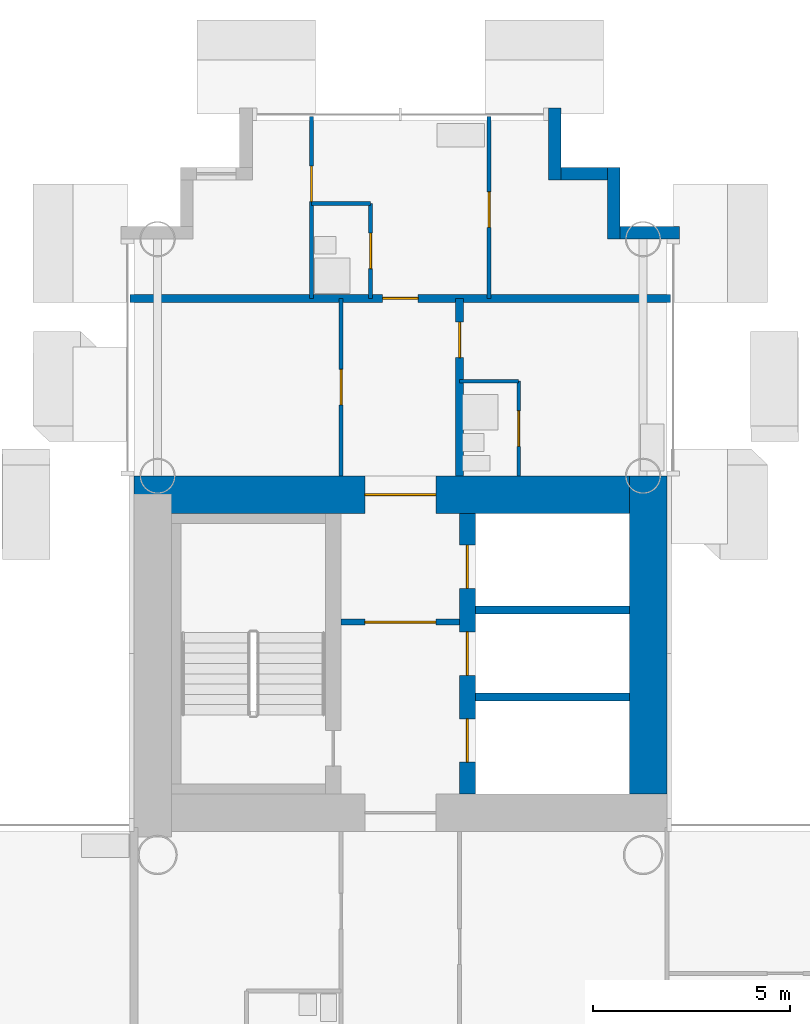
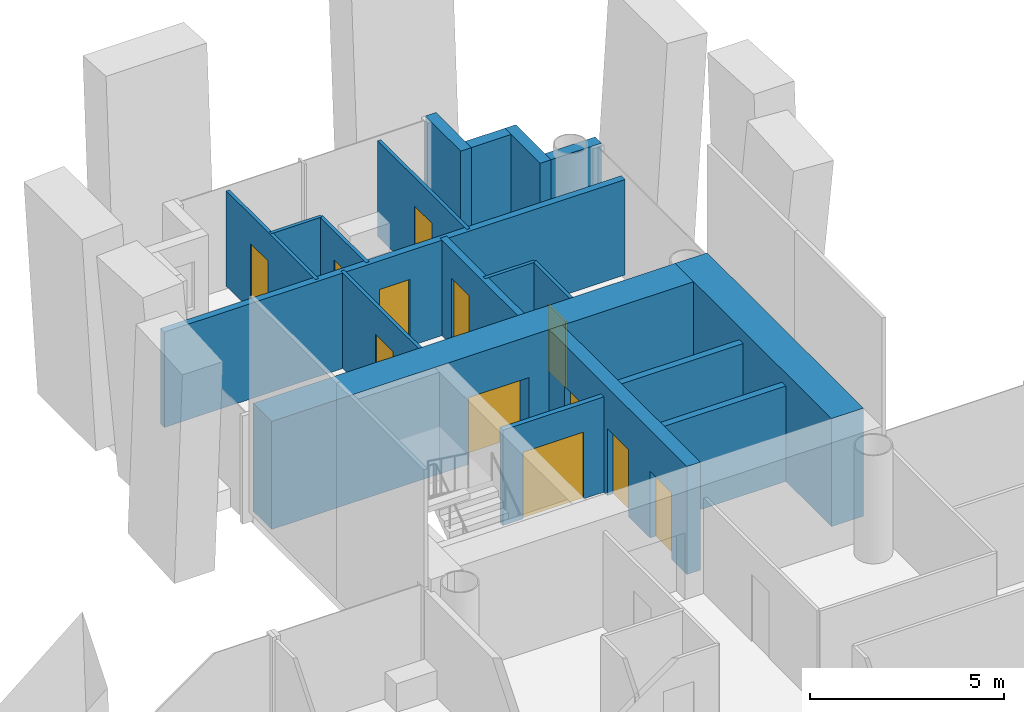
# One storey, part 14 of 21: 19 walls, 12 doors, 12 openings.
"""IFC4 building model written with IfcOpenShell, lengths in metres."""

from ifc_helpers import new_model, si_unit, direction, frame, frame_2d, origin, place, context, subcontext, project, spatial, rectangle, extrude, material, layer, layer_set, type_object, element, fill, save


model = new_model("IFC4")

# Units and contexts
model_context = context("Model", 3, precision=1e-05, world=origin(), true_north=direction((0.0, 1.0)))
body_context = subcontext(model_context, "Body", "Model", "MODEL_VIEW")
ifc_project = project(units=[si_unit("LENGTHUNIT", "METRE"), si_unit("AREAUNIT", "SQUARE_METRE"), si_unit("VOLUMEUNIT", "CUBIC_METRE"), si_unit("PLANEANGLEUNIT", "RADIAN"), si_unit("MASSUNIT", "GRAM", prefix="KILO")], contexts=[model_context])

# Site, building, storey
site_placement = place(None, origin())
site = spatial("IfcSite", under=ifc_project, at=site_placement, CompositionType="ELEMENT")
building_placement = place(site_placement, origin())
building = spatial("IfcBuilding", under=site, at=building_placement, Name="Ipe Terrace Towers", CompositionType="ELEMENT")
storey_placement = place(building_placement, frame((0.0, 0.0, 114.0)))
storey = spatial("IfcBuildingStorey", under=building, at=storey_placement, Name="L31", CompositionType="ELEMENT", Elevation=114.0)

# Walls
ifc_material_1 = material(Name="Concrete C40/50 with buff precast cladding", Category="concrete")
ifc_layer_1 = layer(ifc_material_1, 0.320068359375)
ifc_layer_set_1 = layer_set([ifc_layer_1], Name="BUFF CLADDING WALL 320")
wall_type_1 = type_object("IfcWallType", Name="BUFF CLADDING WALL 320", PredefinedType="STANDARD", material=ifc_layer_set_1)
wall_1_placement = place(storey_placement, frame((43.070068359375, 21.909912109375, -0.300048828125), z_axis=(0.0, 0.0, 1.0), x_axis=(-1.0, 0.0, 0.0)))
element("IfcWall", 1, at=wall_1_placement, inside=storey, type_object=wall_type_1, Name="T2-W-L31-17a wall", PredefinedType="STANDARD", context=body_context, shape_type="SweptSolid", body=[
    extrude(rectangle(XDim=1.5, YDim=0.320068359375, at=frame_2d((0.75, 0.0))), origin(), (0.0, 0.0, 1.0), 3.400146484375),
])
wall_2_placement = place(storey_placement, frame((41.409912109375, 21.75, -0.300048828125), z_axis=(0.0, 0.0, 1.0), x_axis=(0.0, 1.0, 0.0)))
element("IfcWall", 2, at=wall_2_placement, inside=storey, type_object=wall_type_1, Name="T2-W-L31-18a wall", PredefinedType="STANDARD", context=body_context, shape_type="SweptSolid", body=[
    extrude(rectangle(XDim=1.820068359375, YDim=0.320068359375, at=frame_2d((0.91015625, 0.0))), origin(), (0.0, 0.0, 1.0), 3.400146484375),
])
wall_3_placement = place(storey_placement, frame((41.25, 23.409912109375, -0.300048828125), z_axis=(0.0, 0.0, 1.0), x_axis=(-1.0, 0.0, 0.0)))
element("IfcWall", 3, at=wall_3_placement, inside=storey, type_object=wall_type_1, Name="T2-W-L31-19a wall", PredefinedType="STANDARD", context=body_context, shape_type="SweptSolid", body=[
    extrude(rectangle(XDim=1.179931640625, YDim=0.320068359375, at=frame_2d((0.58984375, 0.0))), origin(), (0.0, 0.0, 1.0), 3.400146484375),
])
wall_4_placement = place(storey_placement, frame((39.909912109375, 23.25, -0.300048828125), z_axis=(0.0, 0.0, 1.0), x_axis=(0.0, 1.0, 0.0)))
element("IfcWall", 4, at=wall_4_placement, inside=storey, type_object=wall_type_1, Name="T2-W-L31-20a wall", PredefinedType="STANDARD", context=body_context, shape_type="SweptSolid", body=[
    extrude(rectangle(XDim=1.820068359375, YDim=0.320068359375, at=frame_2d((0.91015625, 0.0))), origin(), (0.0, 0.0, 1.0), 3.400146484375),
])
ifc_material_2 = material(Name="Gypsum board partition", Category="plasterboard")
ifc_layer_2 = layer(ifc_material_2, 0.10009765625)
ifc_layer_set_2 = layer_set([ifc_layer_2], Name="Gypsum board partition 100 mm")
wall_type_2 = type_object("IfcWallType", Name="Gypsum board partition 100 mm", PredefinedType="PARTITIONING", material=ifc_layer_set_2)
for number, where, z_axis, x_axis, name in (
    (5, (39.0, 18.14990234375, 0.0), (0.0, 0.0, 1.0), (-1.0, 0.0, 0.0), "Gypsum board partition T2 L31 W14"),
    (6, (35.25, 22.64990234375, 0.0), (0.0, 0.0, 1.0), (-1.0, 0.0, 0.0), "Gypsum board partition T2 L31 W16"),
):
    element("IfcWall", number, at=place(storey_placement, frame(where, z_axis=z_axis, x_axis=x_axis)), inside=storey, type_object=wall_type_2, Name=name, PredefinedType="PARTITIONING", context=body_context, shape_type="SweptSolid", body=[
        extrude(rectangle(XDim=1.5, YDim=0.10009765625, at=frame_2d((0.75, 0.0))), origin(), (0.0, 0.0, 1.0), 3.0),
    ])

# Wall, opening, door
wall_5_placement = place(storey_placement, frame((39.0, 15.75, 0.0), z_axis=(0.0, 0.0, 1.0), x_axis=(0.0, 1.0, 0.0)))
wall_5 = element("IfcWall", 7, at=wall_5_placement, inside=storey, type_object=wall_type_2, Name="Gypsum board partition T2 L31 W23", PredefinedType="PARTITIONING", context=body_context, shape_type="SweptSolid", body=[
    extrude(rectangle(XDim=2.39990234375, YDim=0.10009765625, at=frame_2d((1.199951171875, 0.0))), origin(), (0.0, 0.0, 1.0), 3.0),
])
opening_1_placement = place(wall_5_placement, frame((0.75, 0.0, 0.0)))
opening_1 = element("IfcOpeningElement", 8, at=opening_1_placement, cuts=wall_5, Name="Opening T2-Z2F-22", PredefinedType="OPENING", context=body_context, shape_type="SweptSolid", body=[
    extrude(rectangle(XDim=0.89990234375, YDim=2.10009765625, at=frame_2d((0.449951171875, 1.050048828125))), frame((0.0, 0.06005859375, 0.0), z_axis=(0.0, -1.0, 0.0), x_axis=(1.0, 0.0, 0.0)), (0.0, 0.0, 1.0), 0.1201171875),
])
ifc_material_3 = material(Name="Timber door leaf", Category="wood")
door_type_1 = type_object("IfcDoorType", Name="Bathroom door 900 x 2100", OperationType="NOTDEFINED", PredefinedType="DOOR", material=ifc_material_3)
door_1_placement = place(opening_1_placement, origin())
door_1 = element("IfcDoor", 9, at=door_1_placement, inside=storey, type_object=door_type_1, Name="Bathroom door T2-Z2F-22", OperationType="SINGLE_SWING_LEFT", OverallHeight=2.10009765625, OverallWidth=0.89990234375, PredefinedType="DOOR", context=body_context, shape_type="SweptSolid", body=[
    extrude(rectangle(XDim=0.89990234375, YDim=2.10009765625, at=frame_2d((0.449951171875, 1.050048828125))), frame((0.0, 0.02490234375, 0.0), z_axis=(0.0, -1.0, 0.0), x_axis=(1.0, 0.0, 0.0)), (0.0, 0.0, 1.0), 0.050048828125),
])
fill(opening_1, door_1)

wall_6_placement = place(storey_placement, frame((38.25, 20.25, 0.0), z_axis=(0.0, 0.0, 1.0), x_axis=(0.0, 1.0, 0.0)))
wall_6 = element("IfcWall", 10, at=wall_6_placement, inside=storey, type_object=wall_type_2, Name="Gypsum board partition T2 L31 W24", PredefinedType="PARTITIONING", context=body_context, shape_type="SweptSolid", body=[
    extrude(rectangle(XDim=4.60009765625, YDim=0.10009765625, at=frame_2d((2.300048828125, 0.0))), origin(), (0.0, 0.0, 1.0), 3.0),
])
opening_2_placement = place(wall_6_placement, frame((1.800048828125, 0.0, 0.0)))
opening_2 = element("IfcOpeningElement", 11, at=opening_2_placement, cuts=wall_6, Name="Opening T2-Z2F-26", PredefinedType="OPENING", context=body_context, shape_type="SweptSolid", body=[
    extrude(rectangle(XDim=0.89990234375, YDim=2.10009765625, at=frame_2d((0.449951171875, 1.050048828125))), frame((0.0, 0.06005859375, 0.0), z_axis=(0.0, -1.0, 0.0), x_axis=(1.0, 0.0, 0.0)), (0.0, 0.0, 1.0), 0.1201171875),
])
ifc_material_4 = material(Name="Timber door leaf", Category="wood")
door_type_2 = type_object("IfcDoorType", Name="Lounge door 900 x 2100", OperationType="NOTDEFINED", PredefinedType="DOOR", material=ifc_material_4)
door_2_placement = place(opening_2_placement, origin())
door_2 = element("IfcDoor", 12, at=door_2_placement, inside=storey, type_object=door_type_2, Name="Lounge door T2-Z2F-26", OperationType="SINGLE_SWING_LEFT", OverallHeight=2.10009765625, OverallWidth=0.89990234375, PredefinedType="DOOR", context=body_context, shape_type="SweptSolid", body=[
    extrude(rectangle(XDim=0.89990234375, YDim=2.10009765625, at=frame_2d((0.449951171875, 1.050048828125))), frame((0.0, 0.02490234375, 0.0), z_axis=(0.0, -1.0, 0.0), x_axis=(1.0, 0.0, 0.0)), (0.0, 0.0, 1.0), 0.050048828125),
])
fill(opening_2, door_2)

wall_7_placement = place(storey_placement, frame((35.25, 20.25, 0.0), z_axis=(0.0, 0.0, 1.0), x_axis=(0.0, 1.0, 0.0)))
wall_7 = element("IfcWall", 13, at=wall_7_placement, inside=storey, type_object=wall_type_2, Name="Gypsum board partition T2 L31 W28", PredefinedType="PARTITIONING", context=body_context, shape_type="SweptSolid", body=[
    extrude(rectangle(XDim=2.39990234375, YDim=0.10009765625, at=frame_2d((1.199951171875, 0.0))), origin(), (0.0, 0.0, 1.0), 3.0),
])
opening_3_placement = place(wall_7_placement, frame((0.75, 0.0, 0.0)))
opening_3 = element("IfcOpeningElement", 14, at=opening_3_placement, cuts=wall_7, Name="Opening T2-Z2F-23", PredefinedType="OPENING", context=body_context, shape_type="SweptSolid", body=[
    extrude(rectangle(XDim=0.89990234375, YDim=2.10009765625, at=frame_2d((0.449951171875, 1.050048828125))), frame((0.0, 0.06005859375, 0.0), z_axis=(0.0, -1.0, 0.0), x_axis=(1.0, 0.0, 0.0)), (0.0, 0.0, 1.0), 0.1201171875),
])
door_3_placement = place(opening_3_placement, origin())
door_3 = element("IfcDoor", 15, at=door_3_placement, inside=storey, type_object=door_type_1, Name="Bathroom door T2-Z2F-23", OperationType="SINGLE_SWING_LEFT", OverallHeight=2.10009765625, OverallWidth=0.89990234375, PredefinedType="DOOR", context=body_context, shape_type="SweptSolid", body=[
    extrude(rectangle(XDim=0.89990234375, YDim=2.10009765625, at=frame_2d((0.449951171875, 1.050048828125))), frame((0.0, 0.02490234375, 0.0), z_axis=(0.0, -1.0, 0.0), x_axis=(1.0, 0.0, 0.0)), (0.0, 0.0, 1.0), 0.050048828125),
])
fill(opening_3, door_3)

wall_8_placement = place(storey_placement, frame((34.5, 15.75, 0.0), z_axis=(0.0, 0.0, 1.0), x_axis=(0.0, 1.0, 0.0)))
wall_8 = element("IfcWall", 16, at=wall_8_placement, inside=storey, type_object=wall_type_2, Name="Gypsum board partition T2 L31 W31", PredefinedType="PARTITIONING", context=body_context, shape_type="SweptSolid", body=[
    extrude(rectangle(XDim=4.5, YDim=0.10009765625, at=frame_2d((2.25, 0.0))), origin(), (0.0, 0.0, 1.0), 3.0),
])
opening_4_placement = place(wall_8_placement, frame((1.800048828125, 0.0, 0.0)))
opening_4 = element("IfcOpeningElement", 17, at=opening_4_placement, cuts=wall_8, Name="Opening T2-Z2F-20", PredefinedType="OPENING", context=body_context, shape_type="SweptSolid", body=[
    extrude(rectangle(XDim=0.89990234375, YDim=2.10009765625, at=frame_2d((0.449951171875, 1.050048828125))), frame((0.0, 0.06005859375, 0.0), z_axis=(0.0, -1.0, 0.0), x_axis=(1.0, 0.0, 0.0)), (0.0, 0.0, 1.0), 0.1201171875),
])
door_4_placement = place(opening_4_placement, origin())
door_4 = element("IfcDoor", 18, at=door_4_placement, inside=storey, type_object=door_type_2, Name="Lounge door T2-Z2F-20", OperationType="SINGLE_SWING_LEFT", OverallHeight=2.10009765625, OverallWidth=0.89990234375, PredefinedType="DOOR", context=body_context, shape_type="SweptSolid", body=[
    extrude(rectangle(XDim=0.89990234375, YDim=2.10009765625, at=frame_2d((0.449951171875, 1.050048828125))), frame((0.0, 0.02490234375, 0.0), z_axis=(0.0, -1.0, 0.0), x_axis=(1.0, 0.0, 0.0)), (0.0, 0.0, 1.0), 0.050048828125),
])
fill(opening_4, door_4)

wall_9_placement = place(storey_placement, frame((33.75, 20.25, 0.0), z_axis=(0.0, 0.0, 1.0), x_axis=(0.0, 1.0, 0.0)))
wall_9 = element("IfcWall", 19, at=wall_9_placement, inside=storey, type_object=wall_type_2, Name="Gypsum board partition T2 L31 W32", PredefinedType="PARTITIONING", context=body_context, shape_type="SweptSolid", body=[
    extrude(rectangle(XDim=4.60009765625, YDim=0.10009765625, at=frame_2d((2.300048828125, 0.0))), origin(), (0.0, 0.0, 1.0), 3.0),
])
opening_5_placement = place(wall_9_placement, frame((2.449951171875, 0.0, 0.0)))
opening_5 = element("IfcOpeningElement", 20, at=opening_5_placement, cuts=wall_9, Name="Opening T2-Z2F-25", PredefinedType="OPENING", context=body_context, shape_type="SweptSolid", body=[
    extrude(rectangle(XDim=0.89990234375, YDim=2.10009765625, at=frame_2d((0.449951171875, 1.050048828125))), frame((0.0, 0.06005859375, 0.0), z_axis=(0.0, -1.0, 0.0), x_axis=(1.0, 0.0, 0.0)), (0.0, 0.0, 1.0), 0.1201171875),
])
ifc_material_5 = material(Name="Timber door leaf", Category="wood")
door_type_3 = type_object("IfcDoorType", Name="Bedroom door 900 x 2100", OperationType="NOTDEFINED", PredefinedType="DOOR", material=ifc_material_5)
door_5_placement = place(opening_5_placement, origin())
door_5 = element("IfcDoor", 21, at=door_5_placement, inside=storey, type_object=door_type_3, Name="Bedroom door T2-Z2F-25", OperationType="SINGLE_SWING_LEFT", OverallHeight=2.10009765625, OverallWidth=0.89990234375, PredefinedType="DOOR", context=body_context, shape_type="SweptSolid", body=[
    extrude(rectangle(XDim=0.89990234375, YDim=2.10009765625, at=frame_2d((0.449951171875, 1.050048828125))), frame((0.0, 0.02490234375, 0.0), z_axis=(0.0, -1.0, 0.0), x_axis=(1.0, 0.0, 0.0)), (0.0, 0.0, 1.0), 0.050048828125),
])
fill(opening_5, door_5)

ifc_material_6 = material(Name="Gypsum board partition", Category="plasterboard")
ifc_layer_3 = layer(ifc_material_6, 0.14990234375)
ifc_layer_set_3 = layer_set([ifc_layer_3], Name="Gypsum board partition 150 mm")
wall_type_3 = type_object("IfcWallType", Name="Gypsum board partition 150 mm", PredefinedType="PARTITIONING", material=ifc_layer_set_3)
wall_10_placement = place(storey_placement, frame((37.5, 12.050048828125, 0.0), z_axis=(0.0, 0.0, 1.0), x_axis=(-1.0, 0.0, 0.0)))
wall_10 = element("IfcWall", 22, at=wall_10_placement, inside=storey, type_object=wall_type_3, Name="Gypsum board partition T2 L31 t2c1-lobby-wall", PredefinedType="PARTITIONING", context=body_context, shape_type="SweptSolid", body=[
    extrude(rectangle(XDim=3.0, YDim=0.14990234375, at=frame_2d((1.5, 0.0))), origin(), (0.0, 0.0, 1.0), 3.0),
])
opening_6_placement = place(wall_10_placement, frame((0.60009765625, 0.0, 0.0)))
opening_6 = element("IfcOpeningElement", 23, at=opening_6_placement, cuts=wall_10, Name="Opening T2C1-VD", PredefinedType="OPENING", context=body_context, shape_type="SweptSolid", body=[
    extrude(rectangle(XDim=1.800048828125, YDim=2.10009765625, at=frame_2d((0.89990234375, 1.050048828125))), frame((0.0, 0.0849609375, 0.0), z_axis=(0.0, -1.0, 0.0), x_axis=(1.0, 0.0, 0.0)), (0.0, 0.0, 1.0), 0.169921875),
])
ifc_material_7 = material(Name="Fire-rated timber door leaf", Category="wood")
door_type_4 = type_object("IfcDoorType", Name="Lobby door 1800 x 2100 FD60", OperationType="NOTDEFINED", PredefinedType="DOOR", material=ifc_material_7)
door_6_placement = place(opening_6_placement, origin())
door_6 = element("IfcDoor", 24, at=door_6_placement, inside=storey, type_object=door_type_4, Name="Lobby door T2C1-VD", OperationType="SINGLE_SWING_LEFT", OverallHeight=2.10009765625, OverallWidth=1.800048828125, PredefinedType="DOOR", context=body_context, shape_type="SweptSolid", body=[
    extrude(rectangle(XDim=1.800048828125, YDim=2.10009765625, at=frame_2d((0.89990234375, 1.050048828125))), frame((0.0, 0.02490234375, 0.0), z_axis=(0.0, -1.0, 0.0), x_axis=(1.0, 0.0, 0.0)), (0.0, 0.0, 1.0), 0.050048828125),
])
fill(opening_6, door_6)

# Walls
ifc_material_8 = material(Name="Gypsum board party wall", Category="plasterboard")
ifc_layer_4 = layer(ifc_material_8, 0.199951171875)
ifc_layer_set_4 = layer_set([ifc_layer_4], Name="Gypsum board party wall 200 mm")
wall_type_4 = type_object("IfcWallType", Name="Gypsum board party wall 200 mm", PredefinedType="SOLIDWALL", material=ifc_layer_set_4)
for number, where, z_axis, x_axis, name in (
    (25, (41.800048828125, 10.14990234375, 0.0), (0.0, 0.0, 1.0), (-1.0, 0.0, 0.0), "Gypsum board party wall T2 L31 t2c1-shaft-div1"),
    (26, (41.800048828125, 12.35009765625, 0.0), (0.0, 0.0, 1.0), (-1.0, 0.0, 0.0), "Gypsum board party wall T2 L31 t2c1-shaft-div2"),
):
    element("IfcWall", number, at=place(storey_placement, frame(where, z_axis=z_axis, x_axis=x_axis)), inside=storey, type_object=wall_type_4, Name=name, PredefinedType="SOLIDWALL", context=body_context, shape_type="SweptSolid", body=[
        extrude(rectangle(XDim=3.900146484375, YDim=0.199951171875, at=frame_2d((1.9501953125, 0.0))), origin(), (0.0, 0.0, 1.0), 3.0),
    ])

# Wall, opening, door
wall_11_placement = place(storey_placement, frame((42.85009765625, 20.25, 0.0), z_axis=(0.0, 0.0, 1.0), x_axis=(-1.0, 0.0, 0.0)))
wall_11 = element("IfcWall", 27, at=wall_11_placement, inside=storey, type_object=wall_type_4, Name="Gypsum board party wall T2 L31 W15", PredefinedType="SOLIDWALL", context=body_context, shape_type="SweptSolid", body=[
    extrude(rectangle(XDim=13.7001953125, YDim=0.199951171875, at=frame_2d((6.85009765625, 0.0))), origin(), (0.0, 0.0, 1.0), 3.0),
])
opening_7_placement = place(wall_11_placement, frame((6.39990234375, 0.0, 0.0)))
opening_7 = element("IfcOpeningElement", 28, at=opening_7_placement, cuts=wall_11, Name="Opening T2-Z2F-24", PredefinedType="OPENING", context=body_context, shape_type="SweptSolid", body=[
    extrude(rectangle(XDim=0.89990234375, YDim=2.10009765625, at=frame_2d((0.449951171875, 1.050048828125))), frame((0.0, 0.10986328125, 0.0), z_axis=(0.0, -1.0, 0.0), x_axis=(1.0, 0.0, 0.0)), (0.0, 0.0, 1.0), 0.219970703125),
])
ifc_material_9 = material(Name="Fire-rated timber door leaf", Category="wood")
door_type_5 = type_object("IfcDoorType", Name="Flat entrance door 900 x 2100 FD30S", OperationType="NOTDEFINED", PredefinedType="DOOR", material=ifc_material_9)
door_7_placement = place(opening_7_placement, origin())
door_7 = element("IfcDoor", 29, at=door_7_placement, inside=storey, type_object=door_type_5, Name="Flat entrance door T2-Z2F-24", OperationType="SINGLE_SWING_RIGHT", OverallHeight=2.10009765625, OverallWidth=0.89990234375, PredefinedType="DOOR", context=body_context, shape_type="SweptSolid", body=[
    extrude(rectangle(XDim=0.89990234375, YDim=2.10009765625, at=frame_2d((0.449951171875, 1.050048828125))), frame((0.0, 0.02490234375, 0.0), z_axis=(0.0, -1.0, 0.0), x_axis=(1.0, 0.0, 0.0)), (0.0, 0.0, 1.0), 0.050048828125),
])
fill(opening_7, door_7)

wall_12_placement = place(storey_placement, frame((37.5, 15.75, 0.0), z_axis=(0.0, 0.0, 1.0), x_axis=(0.0, 1.0, 0.0)))
wall_12 = element("IfcWall", 30, at=wall_12_placement, inside=storey, type_object=wall_type_4, Name="Gypsum board party wall T2 L31 W27", PredefinedType="SOLIDWALL", context=body_context, shape_type="SweptSolid", body=[
    extrude(rectangle(XDim=4.5, YDim=0.199951171875, at=frame_2d((2.25, 0.0))), origin(), (0.0, 0.0, 1.0), 3.0),
])
opening_8_placement = place(wall_12_placement, frame((3.0, 0.0, 0.0)))
opening_8 = element("IfcOpeningElement", 31, at=opening_8_placement, cuts=wall_12, Name="Opening T2-Z2F-21", PredefinedType="OPENING", context=body_context, shape_type="SweptSolid", body=[
    extrude(rectangle(XDim=0.89990234375, YDim=2.10009765625, at=frame_2d((0.449951171875, 1.050048828125))), frame((0.0, 0.10986328125, 0.0), z_axis=(0.0, -1.0, 0.0), x_axis=(1.0, 0.0, 0.0)), (0.0, 0.0, 1.0), 0.219970703125),
])
door_8_placement = place(opening_8_placement, origin())
door_8 = element("IfcDoor", 32, at=door_8_placement, inside=storey, type_object=door_type_5, Name="Flat entrance door T2-Z2F-21", OperationType="SINGLE_SWING_RIGHT", OverallHeight=2.10009765625, OverallWidth=0.89990234375, PredefinedType="DOOR", context=body_context, shape_type="SweptSolid", body=[
    extrude(rectangle(XDim=0.89990234375, YDim=2.10009765625, at=frame_2d((0.449951171875, 1.050048828125))), frame((0.0, 0.02490234375, 0.0), z_axis=(0.0, -1.0, 0.0), x_axis=(1.0, 0.0, 0.0)), (0.0, 0.0, 1.0), 0.050048828125),
])
fill(opening_8, door_8)

# Wall, openings, doors
ifc_material_10 = material(Name="Concrete C50/60", Category="concrete")
ifc_layer_5 = layer(ifc_material_10, 0.39990234375)
ifc_layer_set_5 = layer_set([ifc_layer_5], Name="RW400 CORE SPINE WALL 400 C50-60")
wall_type_5 = type_object("IfcWallType", Name="RW400 CORE SPINE WALL 400 C50-60", PredefinedType="SHEAR", material=ifc_layer_set_5)
wall_13_placement = place(storey_placement, frame((37.699951171875, 7.699951171875, 0.0), z_axis=(0.0, 0.0, 1.0), x_axis=(0.0, 1.0, 0.0)))
wall_13 = element("IfcWall", 33, at=wall_13_placement, inside=storey, type_object=wall_type_5, Name="Core spine wall T2-C1-Z2-SW2", PredefinedType="SHEAR", context=body_context, shape_type="SweptSolid", body=[
    extrude(rectangle(XDim=7.10009765625, YDim=0.39990234375, at=frame_2d((3.550048828125, 0.0))), origin(), (0.0, 0.0, 1.0), 3.39990234375),
])
opening_9_placement = place(wall_13_placement, frame((0.800048828125, 0.0, 0.0)))
opening_9 = element("IfcOpeningElement", 34, at=opening_9_placement, cuts=wall_13, Name="Opening T2C1-LD1", PredefinedType="OPENING", context=body_context, shape_type="SweptSolid", body=[
    extrude(rectangle(XDim=1.10009765625, YDim=2.10009765625, at=frame_2d((0.550048828125, 1.050048828125))), frame((0.0, 0.2099609375, 0.0), z_axis=(0.0, -1.0, 0.0), x_axis=(1.0, 0.0, 0.0)), (0.0, 0.0, 1.0), 0.419921875),
])
opening_10_placement = place(wall_13_placement, frame((3.0, 0.0, 0.0)))
opening_10 = element("IfcOpeningElement", 35, at=opening_10_placement, cuts=wall_13, Name="Opening T2C1-LD2", PredefinedType="OPENING", context=body_context, shape_type="SweptSolid", body=[
    extrude(rectangle(XDim=1.10009765625, YDim=2.10009765625, at=frame_2d((0.550048828125, 1.050048828125))), frame((0.0, 0.2099609375, 0.0), z_axis=(0.0, -1.0, 0.0), x_axis=(1.0, 0.0, 0.0)), (0.0, 0.0, 1.0), 0.419921875),
])
opening_11_placement = place(wall_13_placement, frame((5.199951171875, 0.0, 0.0)))
opening_11 = element("IfcOpeningElement", 36, at=opening_11_placement, cuts=wall_13, Name="Opening T2C1-LD3", PredefinedType="OPENING", context=body_context, shape_type="SweptSolid", body=[
    extrude(rectangle(XDim=1.10009765625, YDim=2.10009765625, at=frame_2d((0.550048828125, 1.050048828125))), frame((0.0, 0.2099609375, 0.0), z_axis=(0.0, -1.0, 0.0), x_axis=(1.0, 0.0, 0.0)), (0.0, 0.0, 1.0), 0.419921875),
])
ifc_material_11 = material(Name="Fire-rated timber door leaf", Category="wood")
door_type_6 = type_object("IfcDoorType", Name="Sliding door 1100 x 2100 FD60", OperationType="SLIDING_TO_LEFT", PredefinedType="DOOR", material=ifc_material_11)
door_9_placement = place(opening_9_placement, origin())
door_9 = element("IfcDoor", 37, at=door_9_placement, inside=storey, type_object=door_type_6, Name="Sliding door T2C1-LD1", OperationType="SLIDING_TO_LEFT", OverallHeight=2.10009765625, OverallWidth=1.10009765625, PredefinedType="DOOR", context=body_context, shape_type="SweptSolid", body=[
    extrude(rectangle(XDim=1.10009765625, YDim=2.10009765625, at=frame_2d((0.550048828125, 1.050048828125))), frame((0.0, 0.02490234375, 0.0), z_axis=(0.0, -1.0, 0.0), x_axis=(1.0, 0.0, 0.0)), (0.0, 0.0, 1.0), 0.050048828125),
])
fill(opening_9, door_9)
door_10_placement = place(opening_10_placement, origin())
door_10 = element("IfcDoor", 38, at=door_10_placement, inside=storey, type_object=door_type_6, Name="Sliding door T2C1-LD2", OperationType="SLIDING_TO_LEFT", OverallHeight=2.10009765625, OverallWidth=1.10009765625, PredefinedType="DOOR", context=body_context, shape_type="SweptSolid", body=[
    extrude(rectangle(XDim=1.10009765625, YDim=2.10009765625, at=frame_2d((0.550048828125, 1.050048828125))), frame((0.0, 0.02490234375, 0.0), z_axis=(0.0, -1.0, 0.0), x_axis=(1.0, 0.0, 0.0)), (0.0, 0.0, 1.0), 0.050048828125),
])
fill(opening_10, door_10)
door_11_placement = place(opening_11_placement, origin())
door_11 = element("IfcDoor", 39, at=door_11_placement, inside=storey, type_object=door_type_6, Name="Sliding door T2C1-LD3", OperationType="SLIDING_TO_LEFT", OverallHeight=2.10009765625, OverallWidth=1.10009765625, PredefinedType="DOOR", context=body_context, shape_type="SweptSolid", body=[
    extrude(rectangle(XDim=1.10009765625, YDim=2.10009765625, at=frame_2d((0.550048828125, 1.050048828125))), frame((0.0, 0.02490234375, 0.0), z_axis=(0.0, -1.0, 0.0), x_axis=(1.0, 0.0, 0.0)), (0.0, 0.0, 1.0), 0.050048828125),
])
fill(opening_11, door_11)

# Wall
ifc_material_12 = material(Name="Concrete C50/60", Category="concrete")
ifc_layer_6 = layer(ifc_material_12, 0.949951171875)
ifc_layer_set_6 = layer_set([ifc_layer_6], Name="RW950 CORE WALL 950 C50-60")
wall_type_6 = type_object("IfcWallType", Name="RW950 CORE WALL 950 C50-60", PredefinedType="SHEAR", material=ifc_layer_set_6)
wall_14_placement = place(storey_placement, frame((42.27490234375, 7.699951171875, 0.0), z_axis=(0.0, 0.0, 1.0), x_axis=(0.0, 1.0, 0.0)))
element("IfcWall", 40, at=wall_14_placement, inside=storey, type_object=wall_type_6, Name="Core wall T2-C1-Z2-W02", PredefinedType="SHEAR", context=body_context, shape_type="SweptSolid", body=[
    extrude(rectangle(XDim=8.050048828125, YDim=0.949951171875, at=frame_2d((4.02490234375, 0.0))), origin(), (0.0, 0.0, 1.0), 3.39990234375),
])

# Wall, opening, door
wall_15_placement = place(storey_placement, frame((41.800048828125, 15.27490234375, 0.0), z_axis=(0.0, 0.0, 1.0), x_axis=(-1.0, 0.0, 0.0)))
wall_15 = element("IfcWall", 41, at=wall_15_placement, inside=storey, type_object=wall_type_6, Name="Core wall T2-C1-Z2-W03", PredefinedType="SHEAR", context=body_context, shape_type="SweptSolid", body=[
    extrude(rectangle(XDim=12.550048828125, YDim=0.949951171875, at=frame_2d((6.27490234375, 0.0))), origin(), (0.0, 0.0, 1.0), 3.39990234375),
])
opening_12_placement = place(wall_15_placement, frame((4.89990234375, 0.0, 0.0)))
opening_12 = element("IfcOpeningElement", 42, at=opening_12_placement, cuts=wall_15, Name="Opening T2C1-FD", PredefinedType="OPENING", context=body_context, shape_type="SweptSolid", body=[
    extrude(rectangle(XDim=1.800048828125, YDim=2.10009765625, at=frame_2d((0.89990234375, 1.050048828125))), frame((0.0, 0.48486328125, 0.0), z_axis=(0.0, -1.0, 0.0), x_axis=(1.0, 0.0, 0.0)), (0.0, 0.0, 1.0), 0.969970703125),
])
ifc_material_13 = material(Name="Fire-rated timber door leaf", Category="wood")
door_type_7 = type_object("IfcDoorType", Name="Fire door 1800 x 2100 FD30S", OperationType="NOTDEFINED", PredefinedType="DOOR", material=ifc_material_13)
door_12_placement = place(opening_12_placement, origin())
door_12 = element("IfcDoor", 43, at=door_12_placement, inside=storey, type_object=door_type_7, Name="Fire door T2C1-FD", OperationType="SINGLE_SWING_LEFT", OverallHeight=2.10009765625, OverallWidth=1.800048828125, PredefinedType="DOOR", context=body_context, shape_type="SweptSolid", body=[
    extrude(rectangle(XDim=1.800048828125, YDim=2.10009765625, at=frame_2d((0.89990234375, 1.050048828125))), frame((0.0, 0.02490234375, 0.0), z_axis=(0.0, -1.0, 0.0), x_axis=(1.0, 0.0, 0.0)), (0.0, 0.0, 1.0), 0.050048828125),
])
fill(opening_12, door_12)

save(model, "model.ifc")
